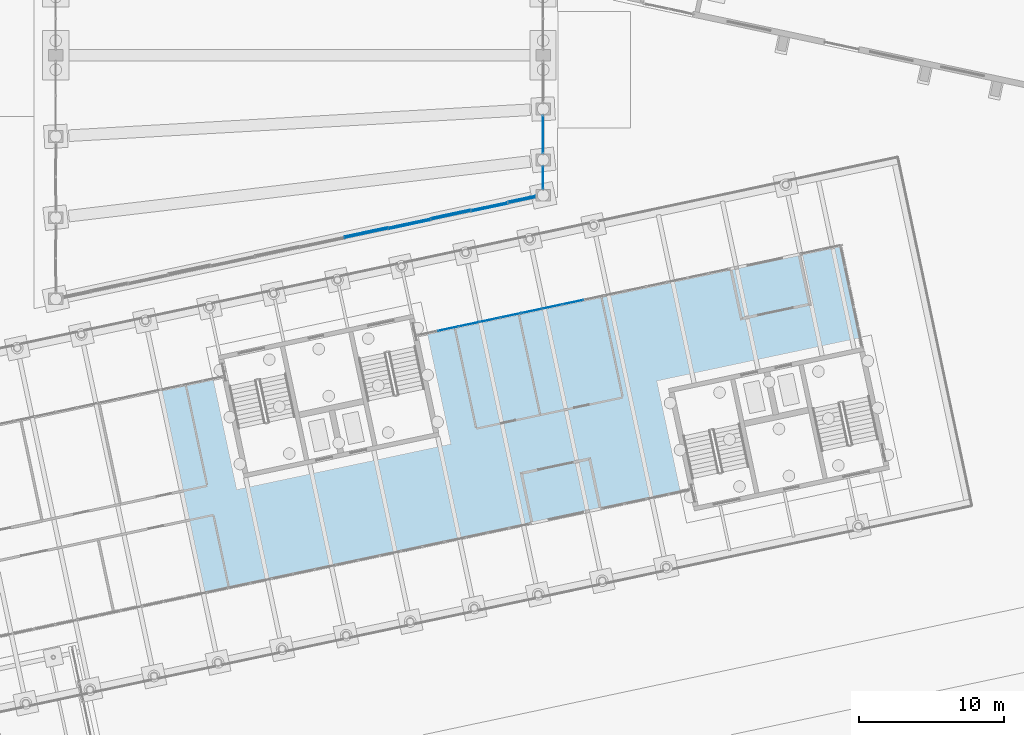
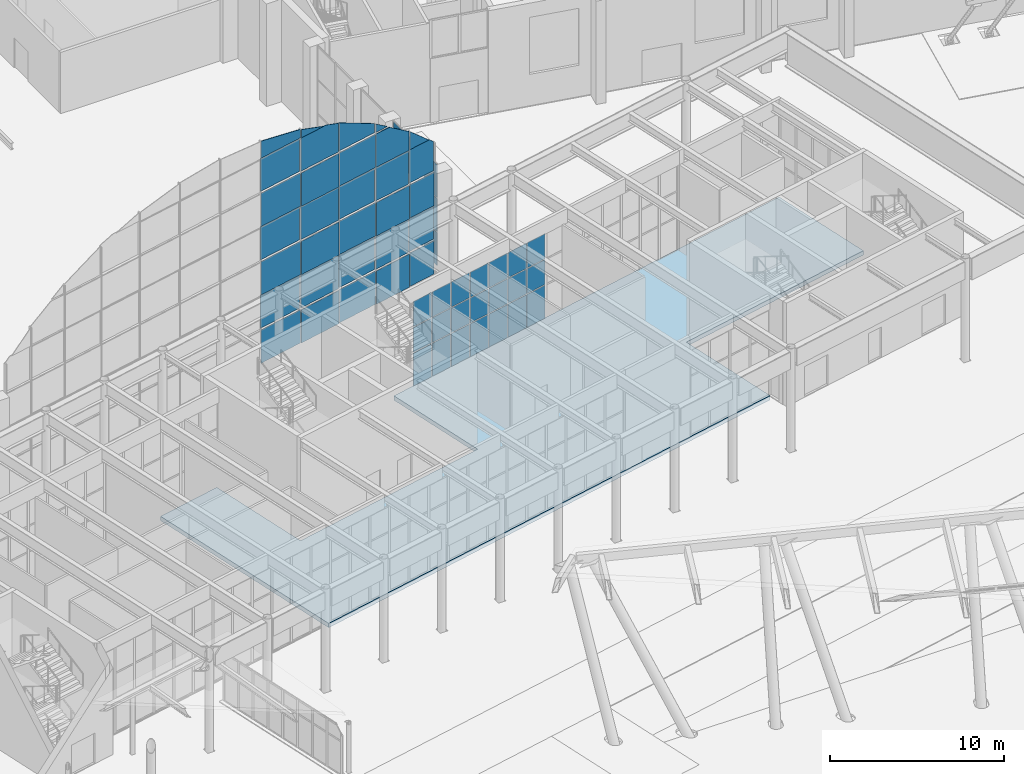
# One storey, part 153 of 239: 56 plates, 1 slab, 4 elements without a shape of their own.
"""IFC4 building model written with IfcOpenShell, lengths in metres."""

from ifc_helpers import new_model, si_unit, direction, frame, origin, origin_2d, place, context, subcontext, project, spatial, polyline, rectangle, outline, extrude, material, layer, layer_set, type_object, element, aggregate, save


model = new_model("IFC4")

# Units and contexts
model_context = context("Model", 3, precision=1e-05, world=origin(), true_north=direction((0.0, 1.0)))
body_context = subcontext(model_context, "Body", "Model", "MODEL_VIEW")
ifc_project = project(units=[si_unit("LENGTHUNIT", "METRE"), si_unit("AREAUNIT", "SQUARE_METRE"), si_unit("VOLUMEUNIT", "CUBIC_METRE"), si_unit("PLANEANGLEUNIT", "RADIAN"), si_unit("MASSUNIT", "GRAM", prefix="KILO")], contexts=[model_context])

# Site, building, storey
site_placement = place(None, origin())
site = spatial("IfcSite", under=ifc_project, at=site_placement, CompositionType="ELEMENT")
building_placement = place(site_placement, origin())
building = spatial("IfcBuilding", under=site, at=building_placement, Name="Okhra Congress Centre", CompositionType="ELEMENT")
storey_placement = place(building_placement, origin())
storey = spatial("IfcBuildingStorey", under=building, at=storey_placement, Name="L00", CompositionType="ELEMENT", Elevation=0.0)

# Curtain wall, plates
ifc_material_1 = material(Name="Aluminium curtain wall, triple glazing", Category="aluminium")
curtain_wall_type_1 = type_object("IfcCurtainWallType", Name="Curtain wall 2100 module", PredefinedType="NOTDEFINED", material=ifc_material_1)
curtain_wall_1_placement = place(storey_placement, origin())
curtain_wall_1 = element("IfcCurtainWall", 1, at=curtain_wall_1_placement, inside=storey, type_object=curtain_wall_type_1, Name="East bay 1 glazing", PredefinedType="NOTDEFINED")
ifc_material_2 = material(Name="Triple glazing unit, low-e coating, argon fill", Category="glass")
ifc_layer_1 = layer(ifc_material_2, 0.028076171875)
ifc_layer_set_1 = layer_set([ifc_layer_1], Name="Curtain wall glazing unit 28")
plate_type_1 = type_object("IfcPlateType", Name="Curtain wall glazing unit 28", PredefinedType="CURTAIN_PANEL", material=ifc_layer_set_1)
plate_1_placement = place(storey_placement, frame((189.0, 82.58447265625, 0.06005859375), z_axis=(0.0, 0.0, 1.0), x_axis=(0.0, 1.0, 0.0)))
plate_1 = element("IfcPlate", 2, at=plate_1_placement, type_object=plate_type_1, Name="CW4 panel 1.1", PredefinedType="CURTAIN_PANEL", context=body_context, shape_type="SweptSolid", body=[
    extrude(rectangle(XDim=1.5107421875, YDim=0.028076171875, at=origin_2d()), origin(), (0.0, 0.0, 1.0), 2.31005859375),
])
plate_2_placement = place(storey_placement, frame((189.0, 82.58447265625, 2.43017578125), z_axis=(0.0, 0.0, 1.0), x_axis=(0.0, 1.0, 0.0)))
plate_2 = element("IfcPlate", 3, at=plate_2_placement, type_object=plate_type_1, Name="CW4 panel 1.2", PredefinedType="CURTAIN_PANEL", context=body_context, shape_type="SweptSolid", body=[
    extrude(rectangle(XDim=1.5107421875, YDim=0.028076171875, at=origin_2d()), origin(), (0.0, 0.0, 1.0), 2.340087890625),
])
plate_3_placement = place(storey_placement, frame((189.0, 82.58447265625, 4.830078125), z_axis=(0.0, 0.0, 1.0), x_axis=(0.0, 1.0, 0.0)))
plate_3 = element("IfcPlate", 4, at=plate_3_placement, type_object=plate_type_1, Name="CW4 panel 1.3", PredefinedType="CURTAIN_PANEL", context=body_context, shape_type="SweptSolid", body=[
    extrude(rectangle(XDim=1.5107421875, YDim=0.028076171875, at=origin_2d()), origin(), (0.0, 0.0, 1.0), 2.31005859375),
])
aggregate(curtain_wall_1, [plate_1, plate_2, plate_3])

# Curtain wall, plate
curtain_wall_2_placement = place(storey_placement, origin())
curtain_wall_2 = element("IfcCurtainWall", 5, at=curtain_wall_2_placement, inside=storey, type_object=curtain_wall_type_1, Name="East bay 2 glazing above the doors", PredefinedType="NOTDEFINED")
plate_4_placement = place(storey_placement, frame((189.0, 85.550048828125, 4.56005859375), z_axis=(0.0, 0.0, 1.0), x_axis=(0.0, 1.0, 0.0)))
plate_4 = element("IfcPlate", 6, at=plate_4_placement, type_object=plate_type_1, Name="CW4 panel 1.1", PredefinedType="CURTAIN_PANEL", context=body_context, shape_type="SweptSolid", body=[
    extrude(rectangle(XDim=2.580078125, YDim=0.028076171875, at=origin_2d()), origin(), (0.0, 0.0, 1.0), 2.580078125),
])
aggregate(curtain_wall_2, [plate_4])

# Curtain wall, plates
curtain_wall_type_2 = type_object("IfcCurtainWallType", Name="Curtain wall 1500 module", PredefinedType="NOTDEFINED", material=ifc_material_1)
curtain_wall_3_placement = place(storey_placement, origin())
curtain_wall_3 = element("IfcCurtainWall", 7, at=curtain_wall_3_placement, inside=storey, type_object=curtain_wall_type_2, Name="Ground curtain wall N10", PredefinedType="NOTDEFINED")
plate_5_placement = place(storey_placement, frame((182.46435546875, 72.19775390625, 0.06005859375), z_axis=(0.0, 0.0, 1.0), x_axis=(0.978147600734, 0.207911690818, 0.0)))
plate_5 = element("IfcPlate", 8, at=plate_5_placement, type_object=plate_type_1, Name="CW7 panel 2.1", PredefinedType="CURTAIN_PANEL", context=body_context, shape_type="SweptSolid", body=[
    extrude(rectangle(XDim=1.404052734375, YDim=0.028076171875, at=origin_2d()), origin(), (0.0, 0.0, 1.0), 2.31005859375),
])
plate_6_placement = place(storey_placement, frame((182.46435546875, 72.19775390625, 2.43017578125), z_axis=(0.0, 0.0, 1.0), x_axis=(0.978147600734, 0.207911690818, 0.0)))
plate_6 = element("IfcPlate", 9, at=plate_6_placement, type_object=plate_type_1, Name="CW7 panel 2.2", PredefinedType="CURTAIN_PANEL", context=body_context, shape_type="SweptSolid", body=[
    extrude(rectangle(XDim=1.404052734375, YDim=0.028076171875, at=origin_2d()), origin(), (0.0, 0.0, 1.0), 1.739990234375),
])
plate_7_placement = place(storey_placement, frame((182.46435546875, 72.19775390625, 4.22998046875), z_axis=(0.0, 0.0, 1.0), x_axis=(0.978147600734, 0.207911690818, 0.0)))
plate_7 = element("IfcPlate", 10, at=plate_7_placement, type_object=plate_type_1, Name="CW7 panel 2.3", PredefinedType="CURTAIN_PANEL", context=body_context, shape_type="SweptSolid", body=[
    extrude(rectangle(XDim=1.404052734375, YDim=0.028076171875, at=origin_2d()), origin(), (0.0, 0.0, 1.0), 1.760009765625),
])
plate_8_placement = place(storey_placement, frame((183.896240234375, 72.501953125, 0.06005859375), z_axis=(0.0, 0.0, 1.0), x_axis=(0.978147600734, 0.207911690818, 0.0)))
plate_8 = element("IfcPlate", 11, at=plate_8_placement, type_object=plate_type_1, Name="CW7 panel 3.1", PredefinedType="CURTAIN_PANEL", context=body_context, shape_type="SweptSolid", body=[
    extrude(rectangle(XDim=1.404052734375, YDim=0.028076171875, at=origin_2d()), origin(), (0.0, 0.0, 1.0), 2.31005859375),
])
plate_9_placement = place(storey_placement, frame((183.896240234375, 72.501953125, 2.43017578125), z_axis=(0.0, 0.0, 1.0), x_axis=(0.978147600734, 0.207911690818, 0.0)))
plate_9 = element("IfcPlate", 12, at=plate_9_placement, type_object=plate_type_1, Name="CW7 panel 3.2", PredefinedType="CURTAIN_PANEL", context=body_context, shape_type="SweptSolid", body=[
    extrude(rectangle(XDim=1.404052734375, YDim=0.028076171875, at=origin_2d()), origin(), (0.0, 0.0, 1.0), 1.739990234375),
])
plate_10_placement = place(storey_placement, frame((183.896240234375, 72.501953125, 4.22998046875), z_axis=(0.0, 0.0, 1.0), x_axis=(0.978147600734, 0.207911690818, 0.0)))
plate_10 = element("IfcPlate", 13, at=plate_10_placement, type_object=plate_type_1, Name="CW7 panel 3.3", PredefinedType="CURTAIN_PANEL", context=body_context, shape_type="SweptSolid", body=[
    extrude(rectangle(XDim=1.404052734375, YDim=0.028076171875, at=origin_2d()), origin(), (0.0, 0.0, 1.0), 1.760009765625),
])
plate_11_placement = place(storey_placement, frame((185.328369140625, 72.806396484375, 0.06005859375), z_axis=(0.0, 0.0, 1.0), x_axis=(0.978147600734, 0.207911690818, 0.0)))
plate_11 = element("IfcPlate", 14, at=plate_11_placement, type_object=plate_type_1, Name="CW7 panel 4.1", PredefinedType="CURTAIN_PANEL", context=body_context, shape_type="SweptSolid", body=[
    extrude(rectangle(XDim=1.404052734375, YDim=0.028076171875, at=origin_2d()), origin(), (0.0, 0.0, 1.0), 2.31005859375),
])
plate_12_placement = place(storey_placement, frame((185.328369140625, 72.806396484375, 2.43017578125), z_axis=(0.0, 0.0, 1.0), x_axis=(0.978147600734, 0.207911690818, 0.0)))
plate_12 = element("IfcPlate", 15, at=plate_12_placement, type_object=plate_type_1, Name="CW7 panel 4.2", PredefinedType="CURTAIN_PANEL", context=body_context, shape_type="SweptSolid", body=[
    extrude(rectangle(XDim=1.404052734375, YDim=0.028076171875, at=origin_2d()), origin(), (0.0, 0.0, 1.0), 1.739990234375),
])
plate_13_placement = place(storey_placement, frame((185.328369140625, 72.806396484375, 4.22998046875), z_axis=(0.0, 0.0, 1.0), x_axis=(0.978147600734, 0.207911690818, 0.0)))
plate_13 = element("IfcPlate", 16, at=plate_13_placement, type_object=plate_type_1, Name="CW7 panel 4.3", PredefinedType="CURTAIN_PANEL", context=body_context, shape_type="SweptSolid", body=[
    extrude(rectangle(XDim=1.404052734375, YDim=0.028076171875, at=origin_2d()), origin(), (0.0, 0.0, 1.0), 1.760009765625),
])
plate_14_placement = place(storey_placement, frame((186.76025390625, 73.11083984375, 0.06005859375), z_axis=(0.0, 0.0, 1.0), x_axis=(0.978147600734, 0.207911690818, 0.0)))
plate_14 = element("IfcPlate", 17, at=plate_14_placement, type_object=plate_type_1, Name="CW7 panel 5.1", PredefinedType="CURTAIN_PANEL", context=body_context, shape_type="SweptSolid", body=[
    extrude(rectangle(XDim=1.404052734375, YDim=0.028076171875, at=origin_2d()), origin(), (0.0, 0.0, 1.0), 2.31005859375),
])
plate_15_placement = place(storey_placement, frame((186.76025390625, 73.11083984375, 2.43017578125), z_axis=(0.0, 0.0, 1.0), x_axis=(0.978147600734, 0.207911690818, 0.0)))
plate_15 = element("IfcPlate", 18, at=plate_15_placement, type_object=plate_type_1, Name="CW7 panel 5.2", PredefinedType="CURTAIN_PANEL", context=body_context, shape_type="SweptSolid", body=[
    extrude(rectangle(XDim=1.404052734375, YDim=0.028076171875, at=origin_2d()), origin(), (0.0, 0.0, 1.0), 1.739990234375),
])
plate_16_placement = place(storey_placement, frame((186.76025390625, 73.11083984375, 4.22998046875), z_axis=(0.0, 0.0, 1.0), x_axis=(0.978147600734, 0.207911690818, 0.0)))
plate_16 = element("IfcPlate", 19, at=plate_16_placement, type_object=plate_type_1, Name="CW7 panel 5.3", PredefinedType="CURTAIN_PANEL", context=body_context, shape_type="SweptSolid", body=[
    extrude(rectangle(XDim=1.404052734375, YDim=0.028076171875, at=origin_2d()), origin(), (0.0, 0.0, 1.0), 1.760009765625),
])
plate_17_placement = place(storey_placement, frame((188.1923828125, 73.415283203125, 0.06005859375), z_axis=(0.0, 0.0, 1.0), x_axis=(0.978147600734, 0.207911690818, 0.0)))
plate_17 = element("IfcPlate", 20, at=plate_17_placement, type_object=plate_type_1, Name="CW7 panel 6.1", PredefinedType="CURTAIN_PANEL", context=body_context, shape_type="SweptSolid", body=[
    extrude(rectangle(XDim=1.404052734375, YDim=0.028076171875, at=origin_2d()), origin(), (0.0, 0.0, 1.0), 2.31005859375),
])
plate_18_placement = place(storey_placement, frame((188.1923828125, 73.415283203125, 2.43017578125), z_axis=(0.0, 0.0, 1.0), x_axis=(0.978147600734, 0.207911690818, 0.0)))
plate_18 = element("IfcPlate", 21, at=plate_18_placement, type_object=plate_type_1, Name="CW7 panel 6.2", PredefinedType="CURTAIN_PANEL", context=body_context, shape_type="SweptSolid", body=[
    extrude(rectangle(XDim=1.404052734375, YDim=0.028076171875, at=origin_2d()), origin(), (0.0, 0.0, 1.0), 1.739990234375),
])
plate_19_placement = place(storey_placement, frame((188.1923828125, 73.415283203125, 4.22998046875), z_axis=(0.0, 0.0, 1.0), x_axis=(0.978147600734, 0.207911690818, 0.0)))
plate_19 = element("IfcPlate", 22, at=plate_19_placement, type_object=plate_type_1, Name="CW7 panel 6.3", PredefinedType="CURTAIN_PANEL", context=body_context, shape_type="SweptSolid", body=[
    extrude(rectangle(XDim=1.404052734375, YDim=0.028076171875, at=origin_2d()), origin(), (0.0, 0.0, 1.0), 1.760009765625),
])
plate_20_placement = place(storey_placement, frame((189.624267578125, 73.719482421875, 0.06005859375), z_axis=(0.0, 0.0, 1.0), x_axis=(0.978147600734, 0.207911690818, 0.0)))
plate_20 = element("IfcPlate", 23, at=plate_20_placement, type_object=plate_type_1, Name="CW7 panel 7.1", PredefinedType="CURTAIN_PANEL", context=body_context, shape_type="SweptSolid", body=[
    extrude(rectangle(XDim=1.404052734375, YDim=0.028076171875, at=origin_2d()), origin(), (0.0, 0.0, 1.0), 2.31005859375),
])
plate_21_placement = place(storey_placement, frame((189.624267578125, 73.719482421875, 2.43017578125), z_axis=(0.0, 0.0, 1.0), x_axis=(0.978147600734, 0.207911690818, 0.0)))
plate_21 = element("IfcPlate", 24, at=plate_21_placement, type_object=plate_type_1, Name="CW7 panel 7.2", PredefinedType="CURTAIN_PANEL", context=body_context, shape_type="SweptSolid", body=[
    extrude(rectangle(XDim=1.404052734375, YDim=0.028076171875, at=origin_2d()), origin(), (0.0, 0.0, 1.0), 1.739990234375),
])
plate_22_placement = place(storey_placement, frame((189.624267578125, 73.719482421875, 4.22998046875), z_axis=(0.0, 0.0, 1.0), x_axis=(0.978147600734, 0.207911690818, 0.0)))
plate_22 = element("IfcPlate", 25, at=plate_22_placement, type_object=plate_type_1, Name="CW7 panel 7.3", PredefinedType="CURTAIN_PANEL", context=body_context, shape_type="SweptSolid", body=[
    extrude(rectangle(XDim=1.404052734375, YDim=0.028076171875, at=origin_2d()), origin(), (0.0, 0.0, 1.0), 1.760009765625),
])
plate_23_placement = place(storey_placement, frame((191.056396484375, 74.02392578125, 0.06005859375), z_axis=(0.0, 0.0, 1.0), x_axis=(0.978147600734, 0.207911690818, 0.0)))
plate_23 = element("IfcPlate", 26, at=plate_23_placement, type_object=plate_type_1, Name="CW7 panel 8.1", PredefinedType="CURTAIN_PANEL", context=body_context, shape_type="SweptSolid", body=[
    extrude(rectangle(XDim=1.404052734375, YDim=0.028076171875, at=origin_2d()), origin(), (0.0, 0.0, 1.0), 2.31005859375),
])
plate_24_placement = place(storey_placement, frame((191.056396484375, 74.02392578125, 2.43017578125), z_axis=(0.0, 0.0, 1.0), x_axis=(0.978147600734, 0.207911690818, 0.0)))
plate_24 = element("IfcPlate", 27, at=plate_24_placement, type_object=plate_type_1, Name="CW7 panel 8.2", PredefinedType="CURTAIN_PANEL", context=body_context, shape_type="SweptSolid", body=[
    extrude(rectangle(XDim=1.404052734375, YDim=0.028076171875, at=origin_2d()), origin(), (0.0, 0.0, 1.0), 1.739990234375),
])
plate_25_placement = place(storey_placement, frame((191.056396484375, 74.02392578125, 4.22998046875), z_axis=(0.0, 0.0, 1.0), x_axis=(0.978147600734, 0.207911690818, 0.0)))
plate_25 = element("IfcPlate", 28, at=plate_25_placement, type_object=plate_type_1, Name="CW7 panel 8.3", PredefinedType="CURTAIN_PANEL", context=body_context, shape_type="SweptSolid", body=[
    extrude(rectangle(XDim=1.404052734375, YDim=0.028076171875, at=origin_2d()), origin(), (0.0, 0.0, 1.0), 1.760009765625),
])
aggregate(curtain_wall_3, [plate_5, plate_6, plate_7, plate_8, plate_9, plate_10, plate_11, plate_12, plate_13, plate_14, plate_15, plate_16, plate_17, plate_18, plate_19, plate_20, plate_21, plate_22, plate_23, plate_24, plate_25])

# Slab
ifc_material_3 = material(Name="Concrete C25/30", Category="concrete")
ifc_layer_2 = layer(ifc_material_3, 0.300048828125)
ifc_layer_set_2 = layer_set([ifc_layer_2], Name="RC ground slab 300 C25/30")
slab_type = type_object("IfcSlabType", Name="RC ground slab 300 C25/30", PredefinedType="BASESLAB", material=ifc_layer_set_2)
slab_placement = place(storey_placement, frame((0.0, 0.0, -0.300048828125)))
element("IfcSlab", 29, at=slab_placement, inside=storey, type_object=slab_type, Name="Ground slab 3", PredefinedType="BASESLAB", context=body_context, shape_type="SweptSolid", body=[
    extrude(outline(polyline([(162.70263671875, 68.0791015625), (165.70703125, 53.94482421875), (199.11083984375, 61.044921875), (197.61376953125, 68.087646484375), (211.014404296875, 70.93603515625), (209.507080078125, 78.027587890625), (180.3583984375, 71.831787109375), (181.855224609375, 64.7890625), (168.45458984375, 61.940673828125), (166.957763671875, 68.9833984375), (162.70263671875, 68.0791015625)])), origin(), (0.0, 0.0, 1.0), 0.300048828125),
])

# Curtain wall, plates
ifc_material_4 = material(Name="Aluminium frame with triple glazing", Category="aluminium")
curtain_wall_type_3 = type_object("IfcCurtainWallType", Name="Glazed gable curtain wall", PredefinedType="NOTDEFINED", material=ifc_material_4)
curtain_wall_4_placement = place(storey_placement, origin())
curtain_wall_4 = element("IfcCurtainWall", 30, at=curtain_wall_4_placement, inside=storey, type_object=curtain_wall_type_3, Name="South gable glazing", PredefinedType="NOTDEFINED")
ifc_material_5 = material(Name="Toughened triple glazed unit")
ifc_layer_3 = layer(ifc_material_5, 0.028076171875)
ifc_layer_set_3 = layer_set([ifc_layer_3], Name="Triple glazed unit 28 mm")
plate_type_2 = type_object("IfcPlateType", Name="Triple glazed unit 28 mm", PredefinedType="CURTAIN_PANEL", material=ifc_layer_set_3)
plate_26_placement = place(storey_placement, frame((178.318115234375, 79.09130859375, 0.030029296875), z_axis=(-0.20797637479, 0.978133849496, 0.0), x_axis=(-0.978133849496, -0.20797637479, 0.0)))
plate_26 = element("IfcPlate", 31, at=plate_26_placement, type_object=plate_type_2, Name="South gable glazing glass panel 8.1", PredefinedType="CURTAIN_PANEL", context=body_context, shape_type="SweptSolid", body=[
    extrude(outline(polyline([(0.0, 0.0), (3.028626752133449, 0.0), (3.028626752133449, 2.340087890625), (0.0, 2.340087890625), (0.0, 0.0)])), origin(), (0.0, 0.0, -1.0), 0.028076171875),
])
plate_27_placement = place(storey_placement, frame((178.318115234375, 79.17529296875, 2.429931640625), z_axis=(-0.20797637479, 0.978133849496, 0.0), x_axis=(-0.978133849496, -0.20797637479, 0.0)))
plate_27 = element("IfcPlate", 32, at=plate_27_placement, type_object=plate_type_2, Name="South gable glazing glass panel 8.2", PredefinedType="CURTAIN_PANEL", context=body_context, shape_type="SweptSolid", body=[
    extrude(outline(polyline([(0.0, 0.0), (3.028626752133449, 0.0), (3.028626752133449, 2.340087890625), (0.0, 2.340087890625), (0.0, 0.0)])), origin(), (0.0, 0.0, -1.0), 0.028076171875),
])
plate_28_placement = place(storey_placement, frame((178.318115234375, 79.09130859375, 4.830078125), z_axis=(-0.20797637479, 0.978133849496, 0.0), x_axis=(-0.978133849496, -0.20797637479, 0.0)))
plate_28 = element("IfcPlate", 33, at=plate_28_placement, type_object=plate_type_2, Name="South gable glazing glass panel 8.3", PredefinedType="CURTAIN_PANEL", context=body_context, shape_type="SweptSolid", body=[
    extrude(outline(polyline([(0.0, 0.0), (3.028626752133449, 0.0), (3.028626752133449, 2.33984375), (0.0, 2.33984375), (0.0, 0.0)])), origin(), (0.0, 0.0, -1.0), 0.028076171875),
])
plate_29_placement = place(storey_placement, frame((178.318115234375, 79.17529296875, 7.22998046875), z_axis=(-0.20797637479, 0.978133849496, 0.0), x_axis=(-0.978133849496, -0.20797637479, 0.0)))
plate_29 = element("IfcPlate", 34, at=plate_29_placement, type_object=plate_type_2, Name="South gable glazing glass panel 8.4", PredefinedType="CURTAIN_PANEL", context=body_context, shape_type="SweptSolid", body=[
    extrude(outline(polyline([(0.0, 0.0), (3.028626752133449, 0.0), (3.028626752133449, 2.340087890625), (0.0, 2.340087890625), (0.0, 0.0)])), origin(), (0.0, 0.0, -1.0), 0.028076171875),
])
plate_30_placement = place(storey_placement, frame((178.318115234375, 79.09130859375, 9.6298828125), z_axis=(-0.20797637479, 0.978133849496, 0.0), x_axis=(-0.978133849496, -0.20797637479, 0.0)))
plate_30 = element("IfcPlate", 35, at=plate_30_placement, type_object=plate_type_2, Name="South gable glazing glass panel 8.5", PredefinedType="CURTAIN_PANEL", context=body_context, shape_type="SweptSolid", body=[
    extrude(outline(polyline([(0.0, 0.0), (3.028626752133449, 0.0), (3.028626752133449, 2.340087890625), (0.0, 2.340087890625), (0.0, 0.0)])), origin(), (0.0, 0.0, -1.0), 0.028076171875),
])
plate_31_placement = place(storey_placement, frame((178.318115234375, 79.17529296875, 12.030029296875), z_axis=(-0.20797637479, 0.978133849496, 0.0), x_axis=(-0.978133849496, -0.20797637479, 0.0)))
plate_31 = element("IfcPlate", 36, at=plate_31_placement, type_object=plate_type_2, Name="South gable glazing glass panel 8.6", PredefinedType="CURTAIN_PANEL", context=body_context, shape_type="SweptSolid", body=[
    extrude(outline(polyline([(0.0, 0.0), (3.028626752133449, 0.0), (3.028626752133449, 2.340087890625), (0.0, 2.340087890625), (0.0, 0.0)])), origin(), (0.0, 0.0, -1.0), 0.028076171875),
])
plate_32_placement = place(storey_placement, frame((178.318115234375, 79.09130859375, 14.429931640625), z_axis=(-0.20797637479, 0.978133849496, 0.0), x_axis=(-0.978133849496, -0.20797637479, 0.0)))
plate_32 = element("IfcPlate", 37, at=plate_32_placement, type_object=plate_type_2, Name="South gable glazing glass panel 8.7", PredefinedType="CURTAIN_PANEL", context=body_context, shape_type="SweptSolid", body=[
    extrude(outline(polyline([(0.0, 0.0), (3.028626752133449, 0.0), (3.028626752133449, 1.1989746093750002), (0.0, 0.6047363281250001), (0.0, 0.0)])), origin(), (0.0, 0.0, -1.0), 0.028076171875),
])
plate_33_placement = place(storey_placement, frame((181.234375, 79.669189453125, 0.030029296875), z_axis=(-0.207935752015, 0.978142486059, 0.0), x_axis=(-0.978142486059, -0.207935752015, 0.0)))
plate_33 = element("IfcPlate", 38, at=plate_33_placement, type_object=plate_type_2, Name="South gable glazing glass panel 9.1", PredefinedType="CURTAIN_PANEL", context=body_context, shape_type="SweptSolid", body=[
    extrude(outline(polyline([(0.0, 0.0), (2.9200256737468737, 0.0), (2.9200256737468737, 2.3400878906250004), (0.0, 2.3400878906250004), (0.0, 0.0)])), origin(), (0.0, 0.0, -1.0), 0.028076171875),
])
plate_34_placement = place(storey_placement, frame((181.234375, 79.753173828125, 2.429931640625), z_axis=(-0.207935752015, 0.978142486059, 0.0), x_axis=(-0.978142486059, -0.207935752015, 0.0)))
plate_34 = element("IfcPlate", 39, at=plate_34_placement, type_object=plate_type_2, Name="South gable glazing glass panel 9.2", PredefinedType="CURTAIN_PANEL", context=body_context, shape_type="SweptSolid", body=[
    extrude(outline(polyline([(0.0, 0.0), (2.9200256737468737, 0.0), (2.9200256737468737, 2.3400878906250004), (0.0, 2.3400878906250004), (0.0, 0.0)])), origin(), (0.0, 0.0, -1.0), 0.028076171875),
])
plate_35_placement = place(storey_placement, frame((181.234375, 79.669189453125, 4.830078125), z_axis=(-0.207935752015, 0.978142486059, 0.0), x_axis=(-0.978142486059, -0.207935752015, 0.0)))
plate_35 = element("IfcPlate", 40, at=plate_35_placement, type_object=plate_type_2, Name="South gable glazing glass panel 9.3", PredefinedType="CURTAIN_PANEL", context=body_context, shape_type="SweptSolid", body=[
    extrude(outline(polyline([(0.0, 0.0), (2.9200256737468737, 0.0), (2.9200256737468737, 2.3398437500000004), (0.0, 2.3398437500000004), (0.0, 0.0)])), origin(), (0.0, 0.0, -1.0), 0.028076171875),
])
plate_36_placement = place(storey_placement, frame((181.234375, 79.753173828125, 7.22998046875), z_axis=(-0.207935752015, 0.978142486059, 0.0), x_axis=(-0.978142486059, -0.207935752015, 0.0)))
plate_36 = element("IfcPlate", 41, at=plate_36_placement, type_object=plate_type_2, Name="South gable glazing glass panel 9.4", PredefinedType="CURTAIN_PANEL", context=body_context, shape_type="SweptSolid", body=[
    extrude(outline(polyline([(0.0, 0.0), (2.9200256737468737, 0.0), (2.9200256737468737, 2.3400878906250004), (0.0, 2.3400878906250004), (0.0, 0.0)])), origin(), (0.0, 0.0, -1.0), 0.028076171875),
])
plate_37_placement = place(storey_placement, frame((181.234375, 79.669189453125, 9.6298828125), z_axis=(-0.207935752015, 0.978142486059, 0.0), x_axis=(-0.978142486059, -0.207935752015, 0.0)))
plate_37 = element("IfcPlate", 42, at=plate_37_placement, type_object=plate_type_2, Name="South gable glazing glass panel 9.5", PredefinedType="CURTAIN_PANEL", context=body_context, shape_type="SweptSolid", body=[
    extrude(outline(polyline([(0.0, 0.0), (2.9200256737468737, 0.0), (2.9200256737468737, 2.3400878906250004), (0.0, 2.3400878906250004), (0.0, 0.0)])), origin(), (0.0, 0.0, -1.0), 0.028076171875),
])
plate_38_placement = place(storey_placement, frame((181.234375, 79.753173828125, 12.030029296875), z_axis=(-0.20793574807, 0.978142486898, 3.574e-08), x_axis=(-0.978142486898, -0.20793574807, 0.0)))
plate_38 = element("IfcPlate", 43, at=plate_38_placement, type_object=plate_type_2, Name="South gable glazing glass panel 9.6", PredefinedType="CURTAIN_PANEL", context=body_context, shape_type="SweptSolid", body=[
    extrude(outline(polyline([(0.0, 0.0), (2.9200256737468733, -3.308722450212111e-24), (2.9200256737468737, 2.340087890624999), (0.9839081641195561, 2.340087890625005), (2.8986284438955396e-16, 2.010498046874999), (0.0, 0.0)])), origin(), (0.0, 0.0, -1.0), 0.028076171875),
])
plate_39_placement = place(storey_placement, frame((178.378173828125, 79.06201171875, 15.018310546875), z_axis=(-0.207887009312, 0.978152846624, 0.0), x_axis=(0.927520917867, 0.197126195927, -0.317562922583)))
plate_39 = element("IfcPlate", 44, at=plate_39_placement, type_object=plate_type_2, Name="South gable glazing glass panel 9.7", PredefinedType="CURTAIN_PANEL", context=body_context, shape_type="SweptSolid", body=[
    extrude(outline(polyline([(0.0, 0.0), (1.852794720066903, -1.1102230246251565e-16), (0.18684732505468582, 0.5579227674507061), (0.0, 0.0)])), origin(), (0.0, 0.0, -1.0), 0.028076171875),
])
plate_40_placement = place(storey_placement, frame((183.994140625, 80.2978515625, 0.030029296875), z_axis=(-0.207958199084, 0.978137713941, 0.0), x_axis=(-0.978137713941, -0.207958199084, 0.0)))
plate_40 = element("IfcPlate", 45, at=plate_40_placement, type_object=plate_type_2, Name="South gable glazing glass panel 10.1", PredefinedType="CURTAIN_PANEL", context=body_context, shape_type="SweptSolid", body=[
    extrude(outline(polyline([(0.0, 0.0), (2.7600479899429056, 0.0), (2.7600479899429056, 2.340087890625), (0.0, 2.340087890625), (0.0, 0.0)])), origin(), (0.0, 0.0, -1.0), 0.028076171875),
])
plate_41_placement = place(storey_placement, frame((183.994140625, 80.3818359375, 2.429931640625), z_axis=(-0.207958199084, 0.978137713941, 0.0), x_axis=(-0.978137713941, -0.207958199084, 0.0)))
plate_41 = element("IfcPlate", 46, at=plate_41_placement, type_object=plate_type_2, Name="South gable glazing glass panel 10.2", PredefinedType="CURTAIN_PANEL", context=body_context, shape_type="SweptSolid", body=[
    extrude(outline(polyline([(0.0, 0.0), (2.7600479899429056, 0.0), (2.7600479899429056, 2.340087890625), (0.0, 2.340087890625), (0.0, 0.0)])), origin(), (0.0, 0.0, -1.0), 0.028076171875),
])
plate_42_placement = place(storey_placement, frame((183.994140625, 80.2978515625, 4.830078125), z_axis=(-0.207958199084, 0.978137713941, 0.0), x_axis=(-0.978137713941, -0.207958199084, 0.0)))
plate_42 = element("IfcPlate", 47, at=plate_42_placement, type_object=plate_type_2, Name="South gable glazing glass panel 10.3", PredefinedType="CURTAIN_PANEL", context=body_context, shape_type="SweptSolid", body=[
    extrude(outline(polyline([(0.0, 0.0), (2.7600479899429056, 0.0), (2.7600479899429056, 2.33984375), (0.0, 2.33984375), (0.0, 0.0)])), origin(), (0.0, 0.0, -1.0), 0.028076171875),
])
plate_43_placement = place(storey_placement, frame((183.994140625, 80.3818359375, 7.22998046875), z_axis=(-0.207958199084, 0.978137713941, 0.0), x_axis=(-0.978137713941, -0.207958199084, 0.0)))
plate_43 = element("IfcPlate", 48, at=plate_43_placement, type_object=plate_type_2, Name="South gable glazing glass panel 10.4", PredefinedType="CURTAIN_PANEL", context=body_context, shape_type="SweptSolid", body=[
    extrude(outline(polyline([(0.0, 0.0), (2.7600479899429056, 0.0), (2.7600479899429056, 2.340087890625), (0.0, 2.340087890625), (0.0, 0.0)])), origin(), (0.0, 0.0, -1.0), 0.028076171875),
])
plate_44_placement = place(storey_placement, frame((183.994140625, 80.2978515625, 9.6298828125), z_axis=(-0.207958199084, 0.978137713941, 0.0), x_axis=(-0.978137713941, -0.207958199084, 0.0)))
plate_44 = element("IfcPlate", 49, at=plate_44_placement, type_object=plate_type_2, Name="South gable glazing glass panel 10.5", PredefinedType="CURTAIN_PANEL", context=body_context, shape_type="SweptSolid", body=[
    extrude(outline(polyline([(0.0, 0.0), (2.7600479899429056, 0.0), (2.7600479899429056, 2.340087890625), (0.0, 2.340087890625), (0.0, 0.0)])), origin(), (0.0, 0.0, -1.0), 0.028076171875),
])
plate_45_placement = place(storey_placement, frame((183.994140625, 80.3818359375, 12.030029296875), z_axis=(-0.207958199084, 0.978137713941, 0.0), x_axis=(-0.978137713941, -0.207958199084, 0.0)))
plate_45 = element("IfcPlate", 50, at=plate_45_placement, type_object=plate_type_2, Name="South gable glazing glass panel 10.6", PredefinedType="CURTAIN_PANEL", context=body_context, shape_type="SweptSolid", body=[
    extrude(outline(polyline([(0.0, 0.0), (2.7600479899429056, 0.0), (2.7600479899429056, 1.985107421875), (0.0, 0.6416015625), (0.0, 0.0)])), origin(), (0.0, 0.0, -1.0), 0.028076171875),
])
plate_46_placement = place(storey_placement, frame((186.549072265625, 80.799072265625, 0.030029296875), z_axis=(-0.207992691622, 0.978130379976, 0.0), x_axis=(-0.978130379976, -0.207992691622, 0.0)))
plate_46 = element("IfcPlate", 51, at=plate_46_placement, type_object=plate_type_2, Name="South gable glazing glass panel 11.1", PredefinedType="CURTAIN_PANEL", context=body_context, shape_type="SweptSolid", body=[
    extrude(outline(polyline([(0.0, 0.0), (2.550654900358526, 0.0), (2.550654900358526, 2.3400878906250004), (0.0, 2.3400878906250004), (0.0, 0.0)])), origin(), (0.0, 0.0, -1.0), 0.028076171875),
])
plate_47_placement = place(storey_placement, frame((186.549072265625, 80.883056640625, 2.429931640625), z_axis=(-0.207901112851, 0.97814984909, 0.0), x_axis=(-0.97814984909, -0.207901112851, 0.0)))
plate_47 = element("IfcPlate", 52, at=plate_47_placement, type_object=plate_type_2, Name="South gable glazing glass panel 11.2", PredefinedType="CURTAIN_PANEL", context=body_context, shape_type="SweptSolid", body=[
    extrude(outline(polyline([(0.0, 0.0), (2.550604132071736, 0.0), (2.550604132071736, 2.340087890625), (0.0, 2.340087890625), (0.0, 0.0)])), origin(), (0.0, 0.0, -1.0), 0.028076171875),
])
plate_48_placement = place(storey_placement, frame((186.549072265625, 80.799072265625, 4.830078125), z_axis=(-0.207992691622, 0.978130379976, 0.0), x_axis=(-0.978130379976, -0.207992691622, 0.0)))
plate_48 = element("IfcPlate", 53, at=plate_48_placement, type_object=plate_type_2, Name="South gable glazing glass panel 11.3", PredefinedType="CURTAIN_PANEL", context=body_context, shape_type="SweptSolid", body=[
    extrude(outline(polyline([(0.0, 0.0), (2.550654900358526, 0.0), (2.550654900358526, 2.3398437500000004), (0.0, 2.3398437500000004), (0.0, 0.0)])), origin(), (0.0, 0.0, -1.0), 0.028076171875),
])
plate_49_placement = place(storey_placement, frame((186.549072265625, 80.883056640625, 7.22998046875), z_axis=(-0.207901112851, 0.97814984909, 0.0), x_axis=(-0.97814984909, -0.207901112851, 0.0)))
plate_49 = element("IfcPlate", 54, at=plate_49_placement, type_object=plate_type_2, Name="South gable glazing glass panel 11.4", PredefinedType="CURTAIN_PANEL", context=body_context, shape_type="SweptSolid", body=[
    extrude(outline(polyline([(0.0, 0.0), (2.550604132071736, 0.0), (2.550604132071736, 2.340087890625), (0.0, 2.340087890625), (0.0, 0.0)])), origin(), (0.0, 0.0, -1.0), 0.028076171875),
])
plate_50_placement = place(storey_placement, frame((186.549072265625, 80.799072265625, 9.6298828125), z_axis=(0.207999200789, -0.978128995681, 1.6676721e-05), x_axis=(-0.978128995818, -0.207999200818, 1.11e-10)))
plate_50 = element("IfcPlate", 55, at=plate_50_placement, type_object=plate_type_2, Name="South gable glazing glass panel 11.5", PredefinedType="CURTAIN_PANEL", context=body_context, shape_type="SweptSolid", body=[
    extrude(outline(polyline([(0.0, 0.0), (2.5506549003020473, 0.0), (2.5506549005617485, -2.340087890299596), (1.5415106518327726, -2.340087891430138), (1.4674397805989784e-10, -1.3222656248161304), (0.0, 0.0)])), origin(), (0.0, 0.0, -1.0), 0.028076171875),
])
plate_51_placement = place(storey_placement, frame((184.05419921875, 80.352783203125, 12.636474609375), z_axis=(-0.207912812537, 0.978147362304, 0.0), x_axis=(0.816209998775, 0.173491769242, -0.551091502298)))
plate_51 = element("IfcPlate", 56, at=plate_51_placement, type_object=plate_type_2, Name="South gable glazing glass panel 11.6", PredefinedType="CURTAIN_PANEL", context=body_context, shape_type="SweptSolid", body=[
    extrude(outline(polyline([(0.0, 0.0), (1.100443955260874, 1.1102230246251565e-16), (0.33420685832749814, 0.5060451490727742), (0.0, 0.0)])), origin(), (0.0, 0.0, -1.0), 0.028076171875),
])
plate_52_placement = place(storey_placement, frame((188.43994140625, 81.2431640625, 0.030029296875), z_axis=(-0.208014730763, 0.978125693245, 0.0), x_axis=(-0.978125693245, -0.208014730763, 0.0)))
plate_52 = element("IfcPlate", 57, at=plate_52_placement, type_object=plate_type_2, Name="South gable glazing glass panel 12.1", PredefinedType="CURTAIN_PANEL", context=body_context, shape_type="SweptSolid", body=[
    extrude(outline(polyline([(0.0, 0.0), (1.8720034655524642, 0.0), (1.8720034655524642, 2.3400878906249996), (0.0, 2.3400878906249996), (0.0, 0.0)])), origin(), (0.0, 0.0, -1.0), 0.028076171875),
])
plate_53_placement = place(storey_placement, frame((188.43994140625, 81.3271484375, 2.429931640625), z_axis=(-0.208014730763, 0.978125693245, 0.0), x_axis=(-0.978125693245, -0.208014730763, 0.0)))
plate_53 = element("IfcPlate", 58, at=plate_53_placement, type_object=plate_type_2, Name="South gable glazing glass panel 12.2", PredefinedType="CURTAIN_PANEL", context=body_context, shape_type="SweptSolid", body=[
    extrude(outline(polyline([(0.0, 0.0), (1.8720034655524642, 0.0), (1.8720034655524642, 2.3400878906249996), (0.0, 2.3400878906249996), (0.0, 0.0)])), origin(), (0.0, 0.0, -1.0), 0.028076171875),
])
plate_54_placement = place(storey_placement, frame((188.43994140625, 81.2431640625, 4.830078125), z_axis=(-0.208014730763, 0.978125693245, 0.0), x_axis=(-0.978125693245, -0.208014730763, 0.0)))
plate_54 = element("IfcPlate", 59, at=plate_54_placement, type_object=plate_type_2, Name="South gable glazing glass panel 12.3", PredefinedType="CURTAIN_PANEL", context=body_context, shape_type="SweptSolid", body=[
    extrude(outline(polyline([(0.0, 0.0), (1.8720034655524642, 0.0), (1.8720034655524642, 2.3398437499999996), (0.0, 2.3398437499999996), (0.0, 0.0)])), origin(), (0.0, 0.0, -1.0), 0.028076171875),
])
plate_55_placement = place(storey_placement, frame((188.43994140625, 81.3271484375, 7.22998046875), z_axis=(-0.208014028875, 0.978125842502, 4.64323e-06), x_axis=(-0.978125842512, -0.208014028877, 3e-12)))
plate_55 = element("IfcPlate", 60, at=plate_55_placement, type_object=plate_type_2, Name="South gable glazing glass panel 12.4", PredefinedType="CURTAIN_PANEL", context=body_context, shape_type="SweptSolid", body=[
    extrude(outline(polyline([(0.0, 0.0), (1.8720034655519822, 0.0), (1.872003465559779, 2.3400878905997744), (0.33322118749680146, 2.3400878906995666), (6.83300152182756e-12, 2.0507812499778932), (0.0, 0.0)])), origin(), (0.0, 0.0, -1.0), 0.028076171875),
])
plate_56_placement = place(storey_placement, frame((186.60888671875, 80.853759765625, 10.9052734375), z_axis=(-0.207985910501, 0.97813182191, 0.0), x_axis=(0.738739430909, 0.157082501273, -0.655430500521)))
plate_56 = element("IfcPlate", 61, at=plate_56_placement, type_object=plate_type_2, Name="South gable glazing glass panel 12.5", PredefinedType="CURTAIN_PANEL", context=body_context, shape_type="SweptSolid", body=[
    extrude(outline(polyline([(0.0, 0.0), (1.945882323122828, 0.0), (0.8359299157039595, 0.9632457746437623), (0.0, 0.0)])), origin(), (0.0, 0.0, -1.0), 0.028076171875),
])
aggregate(curtain_wall_4, [plate_26, plate_27, plate_28, plate_29, plate_30, plate_31, plate_32, plate_33, plate_34, plate_35, plate_36, plate_37, plate_38, plate_39, plate_40, plate_41, plate_42, plate_43, plate_44, plate_45, plate_46, plate_47, plate_48, plate_49, plate_50, plate_51, plate_52, plate_53, plate_54, plate_55, plate_56])

save(model, "model.ifc")
